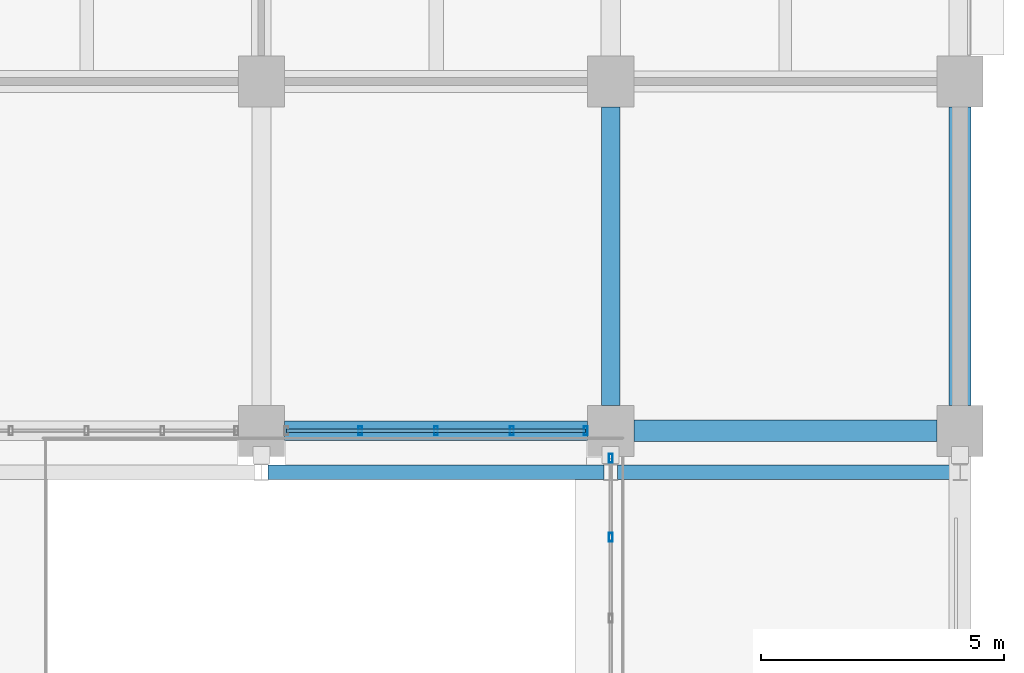
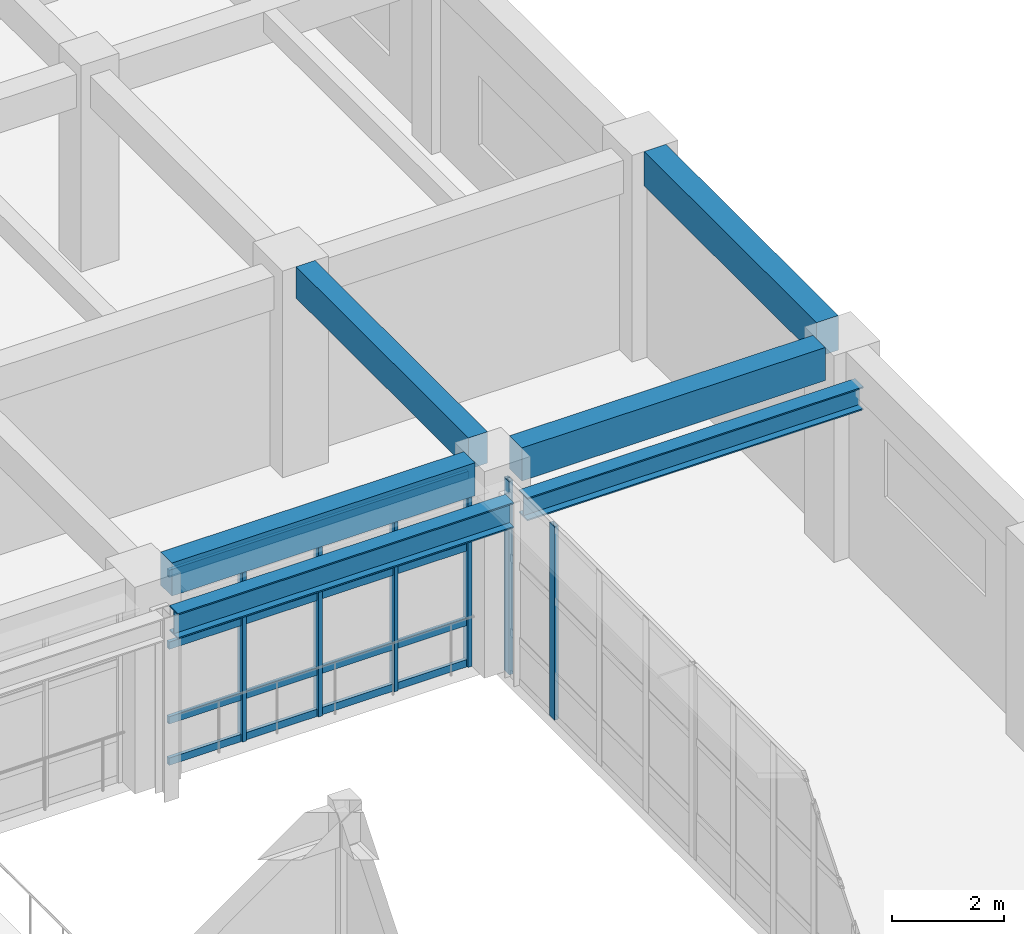
# One storey, part 103 of 171: 10 members, 6 beams, 2 elements without a shape of their own.
"""IFC4 building model written with IfcOpenShell, lengths in metres."""

from ifc_helpers import new_model, si_unit, direction, frame, origin, origin_2d, place, context, subcontext, project, spatial, rectangle, hollow_rectangle, i_section, extrude, material, material_profile, profile_set, type_object, element, aggregate, save


model = new_model("IFC4")

# Units and contexts
model_context = context("Model", 3, precision=1e-05, world=origin(), true_north=direction((0.0, 1.0)))
body_context = subcontext(model_context, "Body", "Model", "MODEL_VIEW")
ifc_project = project(units=[si_unit("LENGTHUNIT", "METRE"), si_unit("AREAUNIT", "SQUARE_METRE"), si_unit("VOLUMEUNIT", "CUBIC_METRE"), si_unit("PLANEANGLEUNIT", "RADIAN"), si_unit("MASSUNIT", "GRAM", prefix="KILO")], contexts=[model_context])

# Site, building, storey
site_placement = place(None, origin())
site = spatial("IfcSite", under=ifc_project, at=site_placement, CompositionType="ELEMENT")
building_placement = place(site_placement, origin())
building = spatial("IfcBuilding", under=site, at=building_placement, Name="Thalmaran Polytechnic", CompositionType="ELEMENT")
storey_placement = place(building_placement, frame((0.0, 0.0, 5.39990234375)))
storey = spatial("IfcBuildingStorey", under=building, at=storey_placement, Name="L01", CompositionType="ELEMENT", Elevation=5.39990234375)

# Beams
ifc_material_1 = material(Name="Steel S355", Category="steel")
ifc_material_profile_1 = material_profile(ifc_material_1, i_section(OverallWidth=0.300048828125, OverallDepth=0.550048828125, WebThickness=0.014892578125, FlangeThickness=0.029052734375, at=origin_2d()), Name="HEB 550")
ifc_profile_set_1 = profile_set([ifc_material_profile_1], Name="Steel S355")
beam_type_1 = type_object("IfcBeamType", Name="BM-CRN1", PredefinedType="BEAM", material=ifc_profile_set_1)
beam_1_placement = place(storey_placement, frame((158.5400390625, 49.550048828125, 3.72509765625), z_axis=(1.0, 0.0, 0.0), x_axis=(0.0, 1.0, 0.0)))
element("IfcBeam", 1, at=beam_1_placement, inside=storey, type_object=beam_type_1, Name="Workshop Crane Runway Beam Y7-22", PredefinedType="BEAM", context=body_context, shape_type="SweptSolid", body=[
    extrude(i_section(OverallWidth=0.300048828125, OverallDepth=0.550048828125, WebThickness=0.014892578125, FlangeThickness=0.029052734375, at=origin_2d()), origin(), (0.0, 0.0, 1.0), 6.919921875),
])
ifc_material_profile_2 = material_profile(ifc_material_1, i_section(OverallWidth=0.300048828125, OverallDepth=0.5, WebThickness=0.014404296875, FlangeThickness=0.028076171875, at=origin_2d()), Name="HEB 500")
ifc_profile_set_2 = profile_set([ifc_material_profile_2], Name="Steel S355")
beam_type_2 = type_object("IfcBeamType", Name="BM-CRN2", PredefinedType="BEAM", material=ifc_profile_set_2)
beam_2_placement = place(storey_placement, frame((165.739990234375, 49.550048828125, 3.75), z_axis=(1.0, 0.0, 0.0), x_axis=(0.0, 1.0, 0.0)))
element("IfcBeam", 2, at=beam_2_placement, inside=storey, type_object=beam_type_2, Name="Workshop Crane Runway Beam Y7-23", PredefinedType="BEAM", context=body_context, shape_type="SweptSolid", body=[
    extrude(i_section(OverallWidth=0.300048828125, OverallDepth=0.5, WebThickness=0.014404296875, FlangeThickness=0.028076171875, at=origin_2d()), origin(), (0.0, 0.0, 1.0), 6.919921875),
])
ifc_material_2 = material(Name="Concrete C40/50", Category="concrete")
ifc_material_profile_3 = material_profile(ifc_material_2, rectangle(XDim=0.389892578125, YDim=0.68505859375, at=origin_2d()), Name="RC 390x685")
ifc_profile_set_3 = profile_set([ifc_material_profile_3], Name="Concrete C40/50")
beam_type_3 = type_object("IfcBeamType", Name="BM-RC08", PredefinedType="BEAM", material=ifc_profile_set_3)
beam_3_placement = place(storey_placement, frame((165.60009765625, 50.925048828125, 4.15771484375), z_axis=(0.0, 1.0, 0.0), x_axis=(-1.0, 0.0, 0.0)))
element("IfcBeam", 3, at=beam_3_placement, inside=storey, type_object=beam_type_3, Name="Grid Beam B08 L01 Y(23,7)", PredefinedType="BEAM", context=body_context, shape_type="SweptSolid", body=[
    extrude(rectangle(XDim=0.389892578125, YDim=0.68505859375, at=origin_2d()), origin(), (0.0, 0.0, 1.0), 6.14990234375),
])
ifc_material_profile_4 = material_profile(ifc_material_2, rectangle(XDim=0.39990234375, YDim=0.719970703125, at=origin_2d()), Name="RC 400x720")
ifc_profile_set_4 = profile_set([ifc_material_profile_4], Name="Concrete C40/50")
beam_type_4 = type_object("IfcBeamType", Name="BM-SP01", PredefinedType="SPANDREL", material=ifc_profile_set_4)
beam_4_placement = place(storey_placement, frame((158.875, 50.39990234375, 4.14013671875), z_axis=(1.0, 0.0, 0.0), x_axis=(0.0, 1.0, 0.0)))
element("IfcBeam", 4, at=beam_4_placement, inside=storey, type_object=beam_type_4, Name="Grid Beam SP01 L01 X(22,7)", PredefinedType="SPANDREL", context=body_context, shape_type="SweptSolid", body=[
    extrude(rectangle(XDim=0.39990234375, YDim=0.719970703125, at=origin_2d()), origin(), (0.0, 0.0, 1.0), 6.25),
])
ifc_material_profile_5 = material_profile(ifc_material_2, rectangle(XDim=0.449951171875, YDim=0.7548828125, at=origin_2d()), Name="RC 450x755")
ifc_profile_set_5 = profile_set([ifc_material_profile_5], Name="Concrete C40/50")
beam_type_5 = type_object("IfcBeamType", Name="BM-SP02", PredefinedType="SPANDREL", material=ifc_profile_set_5)
beam_5_placement = place(storey_placement, frame((172.800048828125, 50.925048828125, 4.12255859375), z_axis=(0.0, 1.0, 0.0), x_axis=(-1.0, 0.0, 0.0)))
element("IfcBeam", 5, at=beam_5_placement, inside=storey, type_object=beam_type_5, Name="Grid Beam SP02 L01 Y(24,7)", PredefinedType="SPANDREL", context=body_context, shape_type="SweptSolid", body=[
    extrude(rectangle(XDim=0.449951171875, YDim=0.7548828125, at=origin_2d()), origin(), (0.0, 0.0, 1.0), 6.14990234375),
])
ifc_material_profile_6 = material_profile(ifc_material_2, rectangle(XDim=0.43994140625, YDim=0.719970703125, at=origin_2d()), Name="RC 440x720")
ifc_profile_set_6 = profile_set([ifc_material_profile_6], Name="Concrete C40/50")
beam_type_6 = type_object("IfcBeamType", Name="BM-ZB03", PredefinedType="BEAM", material=ifc_profile_set_6)
beam_6_placement = place(storey_placement, frame((166.074951171875, 50.39990234375, 4.14013671875), z_axis=(1.0, 0.0, 0.0), x_axis=(0.0, 1.0, 0.0)))
element("IfcBeam", 6, at=beam_6_placement, inside=storey, type_object=beam_type_6, Name="Grid Beam ZB03 L01 X(23,7)", PredefinedType="BEAM", context=body_context, shape_type="SweptSolid", body=[
    extrude(rectangle(XDim=0.43994140625, YDim=0.719970703125, at=origin_2d()), origin(), (0.0, 0.0, 1.0), 6.25),
])

# Curtain wall, members
ifc_material_3 = material(Name="Aluminium 6063-T6", Category="aluminium")
curtain_wall_type = type_object("IfcCurtainWallType", Name="CW-UC02", PredefinedType="USERDEFINED", material=ifc_material_3)
curtain_wall_1_placement = place(storey_placement, origin())
curtain_wall_1 = element("IfcCurtainWall", 7, at=curtain_wall_1_placement, inside=storey, type_object=curtain_wall_type, Name="Curtain Wall CW-L01-123", ObjectType="UNITISED CURTAIN WALL", PredefinedType="USERDEFINED")
ifc_material_profile_7 = material_profile(ifc_material_3, hollow_rectangle(XDim=0.080078125, YDim=0.179931640625, WallThickness=0.0048828125, at=origin_2d()), Name="RHS 180x80x5.0")
ifc_profile_set_7 = profile_set([ifc_material_profile_7], Name="Aluminium 6063-T6")
member_type_1 = type_object("IfcMemberType", Name="CW-MUL1", PredefinedType="MULLION", material=ifc_profile_set_7)
member_1_placement = place(storey_placement, frame((165.60009765625, 48.206298828125, 0.0), z_axis=(0.0, 0.0, 1.0), x_axis=(1.0, 0.0, 0.0)))
member_1 = element("IfcMember", 8, at=member_1_placement, type_object=member_type_1, Name="CW-L01-123 Mullion 4", PredefinedType="MULLION", context=body_context, shape_type="SweptSolid", body=[
    extrude(hollow_rectangle(XDim=0.080078125, YDim=0.179931640625, WallThickness=0.0048828125, at=origin_2d()), origin(), (0.0, 0.0, 1.0), 4.210205078125),
])
member_2_placement = place(storey_placement, frame((165.60009765625, 49.8349609375, 0.0), z_axis=(0.0, 0.0, 1.0), x_axis=(1.0, 0.0, 0.0)))
member_2 = element("IfcMember", 9, at=member_2_placement, type_object=member_type_1, Name="CW-L01-123 Mullion 5", PredefinedType="MULLION", context=body_context, shape_type="SweptSolid", body=[
    extrude(hollow_rectangle(XDim=0.080078125, YDim=0.179931640625, WallThickness=0.0048828125, at=origin_2d()), origin(), (0.0, 0.0, 1.0), 4.210205078125),
])
aggregate(curtain_wall_1, [member_1, member_2])

curtain_wall_2_placement = place(storey_placement, origin())
curtain_wall_2 = element("IfcCurtainWall", 10, at=curtain_wall_2_placement, inside=storey, type_object=curtain_wall_type, Name="Curtain Wall CW-L01-124", ObjectType="UNITISED CURTAIN WALL", PredefinedType="USERDEFINED")
member_3_placement = place(storey_placement, frame((165.0849609375, 50.39990234375, 0.0), z_axis=(0.0, 0.0, 1.0), x_axis=(1.0, 0.0, 0.0)))
member_3 = element("IfcMember", 11, at=member_3_placement, type_object=member_type_1, Name="CW-L01-124 Mullion 1", PredefinedType="MULLION", context=body_context, shape_type="SweptSolid", body=[
    extrude(hollow_rectangle(XDim=0.080078125, YDim=0.179931640625, WallThickness=0.0048828125, at=origin_2d()), origin(), (0.0, 0.0, 1.0), 4.210205078125),
])
member_4_placement = place(storey_placement, frame((163.5625, 50.39990234375, 0.0), z_axis=(0.0, 0.0, 1.0), x_axis=(1.0, 0.0, 0.0)))
member_4 = element("IfcMember", 12, at=member_4_placement, type_object=member_type_1, Name="CW-L01-124 Mullion 2", PredefinedType="MULLION", context=body_context, shape_type="SweptSolid", body=[
    extrude(hollow_rectangle(XDim=0.080078125, YDim=0.179931640625, WallThickness=0.0048828125, at=origin_2d()), origin(), (0.0, 0.0, 1.0), 4.210205078125),
])
member_5_placement = place(storey_placement, frame((162.0, 50.39990234375, 0.0), z_axis=(0.0, 0.0, 1.0), x_axis=(1.0, 0.0, 0.0)))
member_5 = element("IfcMember", 13, at=member_5_placement, type_object=member_type_1, Name="CW-L01-124 Mullion 3", PredefinedType="MULLION", context=body_context, shape_type="SweptSolid", body=[
    extrude(hollow_rectangle(XDim=0.080078125, YDim=0.179931640625, WallThickness=0.0048828125, at=origin_2d()), origin(), (0.0, 0.0, 1.0), 4.210205078125),
])
member_6_placement = place(storey_placement, frame((160.4375, 50.39990234375, 0.0), z_axis=(0.0, 0.0, 1.0), x_axis=(1.0, 0.0, 0.0)))
member_6 = element("IfcMember", 14, at=member_6_placement, type_object=member_type_1, Name="CW-L01-124 Mullion 4", PredefinedType="MULLION", context=body_context, shape_type="SweptSolid", body=[
    extrude(hollow_rectangle(XDim=0.080078125, YDim=0.179931640625, WallThickness=0.0048828125, at=origin_2d()), origin(), (0.0, 0.0, 1.0), 4.210205078125),
])
ifc_material_profile_8 = material_profile(ifc_material_3, hollow_rectangle(XDim=0.070068359375, YDim=0.159912109375, WallThickness=0.00390625, at=origin_2d()), Name="AL 160x70x4.0")
ifc_profile_set_8 = profile_set([ifc_material_profile_8], Name="Aluminium 6063-T6")
member_type_2 = type_object("IfcMemberType", Name="CW-TRN1", PredefinedType="USERDEFINED", material=ifc_profile_set_8)
member_7_placement = place(storey_placement, frame((165.0849609375, 50.39990234375, 0.06005859375), z_axis=(-1.0, 0.0, 0.0), x_axis=(0.0, -1.0, 0.0)))
member_7 = element("IfcMember", 15, at=member_7_placement, type_object=member_type_2, Name="CW-L01-124 Transom 1", ObjectType="TRANSOM", PredefinedType="USERDEFINED", context=body_context, shape_type="SweptSolid", body=[
    extrude(hollow_rectangle(XDim=0.070068359375, YDim=0.159912109375, WallThickness=0.00390625, at=origin_2d()), origin(), (0.0, 0.0, 1.0), 6.169921875),
])
member_8_placement = place(storey_placement, frame((165.0849609375, 50.39990234375, 0.960205078125), z_axis=(-1.0, 0.0, 0.0), x_axis=(0.0, -1.0, 0.0)))
member_8 = element("IfcMember", 16, at=member_8_placement, type_object=member_type_2, Name="CW-L01-124 Transom 2", ObjectType="TRANSOM", PredefinedType="USERDEFINED", context=body_context, shape_type="SweptSolid", body=[
    extrude(hollow_rectangle(XDim=0.070068359375, YDim=0.159912109375, WallThickness=0.00390625, at=origin_2d()), origin(), (0.0, 0.0, 1.0), 6.169921875),
])
member_9_placement = place(storey_placement, frame((165.0849609375, 50.39990234375, 2.585205078125), z_axis=(-1.0, 0.0, 0.0), x_axis=(0.0, -1.0, 0.0)))
member_9 = element("IfcMember", 17, at=member_9_placement, type_object=member_type_2, Name="CW-L01-124 Transom 3", ObjectType="TRANSOM", PredefinedType="USERDEFINED", context=body_context, shape_type="SweptSolid", body=[
    extrude(hollow_rectangle(XDim=0.070068359375, YDim=0.159912109375, WallThickness=0.00390625, at=origin_2d()), origin(), (0.0, 0.0, 1.0), 6.169921875),
])
member_10_placement = place(storey_placement, frame((165.0849609375, 50.39990234375, 4.150146484375), z_axis=(-1.0, 0.0, 0.0), x_axis=(0.0, -1.0, 0.0)))
member_10 = element("IfcMember", 18, at=member_10_placement, type_object=member_type_2, Name="CW-L01-124 Transom 4", ObjectType="TRANSOM", PredefinedType="USERDEFINED", context=body_context, shape_type="SweptSolid", body=[
    extrude(hollow_rectangle(XDim=0.070068359375, YDim=0.159912109375, WallThickness=0.00390625, at=origin_2d()), origin(), (0.0, 0.0, 1.0), 6.169921875),
])
aggregate(curtain_wall_2, [member_3, member_4, member_5, member_6, member_7, member_8, member_9, member_10])

save(model, "model.ifc")
